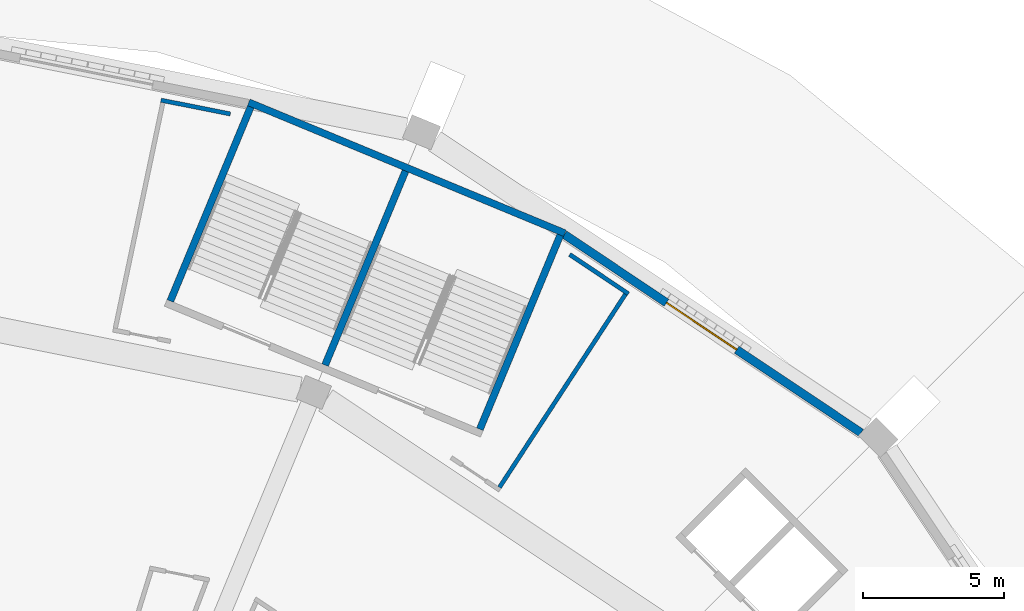
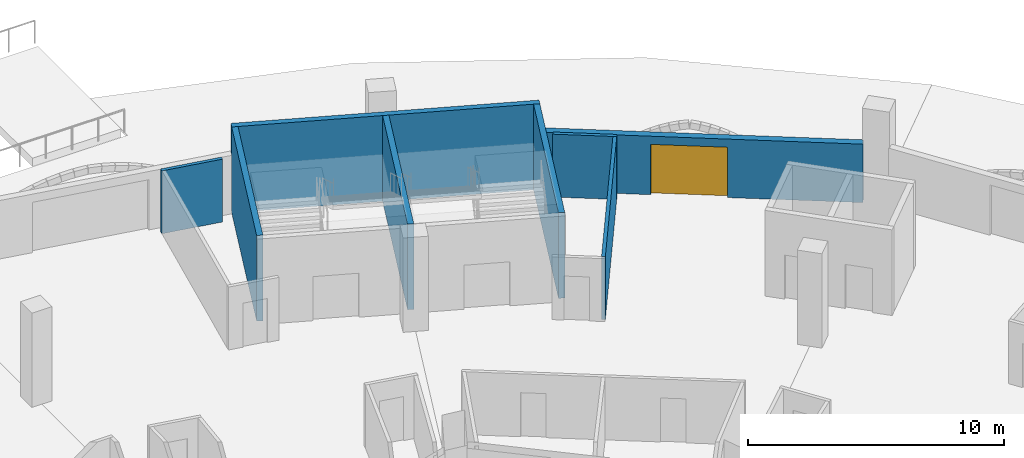
# One storey, part 44 of 175: 8 walls, 1 door, 1 opening.
"""IFC4 building model written with IfcOpenShell, lengths in metres."""

from ifc_helpers import new_model, si_unit, direction, frame, frame_2d, origin, place, context, subcontext, project, spatial, rectangle, extrude, material, layer, layer_set, type_object, element, fill, save


model = new_model("IFC4")

# Units and contexts
model_context = context("Model", 3, precision=1e-05, world=origin(), true_north=direction((0.0, 1.0)))
body_context = subcontext(model_context, "Body", "Model", "MODEL_VIEW")
ifc_project = project(units=[si_unit("LENGTHUNIT", "METRE"), si_unit("AREAUNIT", "SQUARE_METRE"), si_unit("VOLUMEUNIT", "CUBIC_METRE"), si_unit("PLANEANGLEUNIT", "RADIAN"), si_unit("MASSUNIT", "GRAM", prefix="KILO")], contexts=[model_context])

# Site, building, storey
site_placement = place(None, origin())
site = spatial("IfcSite", under=ifc_project, at=site_placement, CompositionType="ELEMENT")
building_placement = place(site_placement, origin())
building = spatial("IfcBuilding", under=site, at=building_placement, Name="Ogive Plaza Stadium", CompositionType="ELEMENT")
storey_placement = place(building_placement, origin())
storey = spatial("IfcBuildingStorey", under=building, at=storey_placement, Name="L00", CompositionType="ELEMENT", Elevation=0.0)

# Walls
ifc_material_1 = material(Name="Masonry blockwork", Category="masonry")
ifc_layer_1 = layer(ifc_material_1, 0.14990234375)
ifc_layer_set_1 = layer_set([ifc_layer_1], Name="Blockwork wall 150")
wall_type_1 = type_object("IfcWallType", Name="Blockwork wall 150", PredefinedType="SOLIDWALL", material=ifc_layer_set_1)
wall_1_placement = place(storey_placement, frame((46.345947265625, 99.34423828125, 0.0), z_axis=(0.0, 0.0, 1.0), x_axis=(-0.980778163577, 0.195126097309, 0.0)))
element("IfcWall", 1, at=wall_1_placement, inside=storey, type_object=wall_type_1, Name="Wall L00 B37", PredefinedType="SOLIDWALL", context=body_context, shape_type="SweptSolid", body=[
    extrude(rectangle(XDim=2.513671875, YDim=0.14990234375, at=frame_2d((1.2568359375, 0.0))), origin(), (0.0, 0.0, 1.0), 3.0),
])
wall_2_placement = place(storey_placement, frame((58.39404296875, 94.353759765625, 0.0), z_axis=(0.0, 0.0, 1.0), x_axis=(0.83145207432, -0.555596479569, 0.0)))
element("IfcWall", 2, at=wall_2_placement, inside=storey, type_object=wall_type_1, Name="Wall L00 B38", PredefinedType="SOLIDWALL", context=body_context, shape_type="SweptSolid", body=[
    extrude(rectangle(XDim=2.513427734375, YDim=0.14990234375, at=frame_2d((1.2568359375, 0.0))), origin(), (0.0, 0.0, 1.0), 3.0),
])
wall_3_placement = place(storey_placement, frame((55.901611328125, 86.081298828125, 0.0), z_axis=(0.0, 0.0, 1.0), x_axis=(0.546272327191, 0.837607631618, 0.0)))
element("IfcWall", 3, at=wall_3_placement, inside=storey, type_object=wall_type_1, Name="Wall L00 B38", PredefinedType="SOLIDWALL", context=body_context, shape_type="SweptSolid", body=[
    extrude(rectangle(XDim=8.18994140625, YDim=0.14990234375, at=frame_2d((4.094970703125, 0.0))), origin(), (0.0, 0.0, 1.0), 3.0),
])
ifc_material_2 = material(Name="Concrete C40/50", Category="concrete")
ifc_layer_2 = layer(ifc_material_2, 0.25)
ifc_layer_set_2 = layer_set([ifc_layer_2], Name="Concrete C40/50")
wall_type_2 = type_object("IfcWallType", Name="Core wall 250", PredefinedType="SHEAR", material=ifc_layer_set_2)
wall_4_placement = place(storey_placement, frame((58.224365234375, 95.108154296875, 0.0), z_axis=(0.0, 0.0, 1.0), x_axis=(-0.923884584817, 0.382671234792, 0.0)))
element("IfcWall", 4, at=wall_4_placement, inside=storey, type_object=wall_type_2, Name="Stair core R38 outer wall", PredefinedType="SHEAR", context=body_context, shape_type="SweptSolid", body=[
    extrude(rectangle(XDim=12.14990234375, YDim=0.25, at=frame_2d((6.074951171875, 0.0))), origin(), (0.0, 0.0, 1.0), 4.090087890625),
])
for number, where, z_axis, x_axis, name in (
    (5, (55.206298828125, 88.148193359375, 0.0), (0.0, 0.0, 1.0), (0.382664910245, 0.923887204407, 0.0), "Stair core R38 side wall"),
    (6, (44.212158203125, 92.7021484375, 0.0), (0.0, 0.0, 1.0), (0.382664910245, 0.923887204407, 0.0), "Stair core R38 side wall"),
):
    element("IfcWall", number, at=place(storey_placement, frame(where, z_axis=z_axis, x_axis=x_axis)), inside=storey, type_object=wall_type_2, Name=name, PredefinedType="SHEAR", context=body_context, shape_type="SweptSolid", body=[
        extrude(rectangle(XDim=7.460205078125, YDim=0.25, at=frame_2d((3.72998046875, 0.0))), origin(), (0.0, 0.0, 1.0), 4.090087890625),
    ])
wall_5_placement = place(storey_placement, frame((49.709228515625, 90.42529296875, 0.0), z_axis=(0.0, 0.0, 1.0), x_axis=(0.382676480483, 0.923882412044, 0.0)))
element("IfcWall", 7, at=wall_5_placement, inside=storey, type_object=wall_type_2, Name="Stair core R38 centre wall", PredefinedType="SHEAR", context=body_context, shape_type="SweptSolid", body=[
    extrude(rectangle(XDim=7.4599609375, YDim=0.25, at=frame_2d((3.72998046875, 0.0))), origin(), (0.0, 0.0, 1.0), 4.090087890625),
])

# Wall, opening, door
ifc_material_3 = material(Name="Concrete C45/55 precast", Category="concrete")
ifc_layer_3 = layer(ifc_material_3, 0.25)
ifc_material_4 = material(Name="Cast stone (reconstituted limestone)", Category="masonry")
ifc_layer_4 = layer(ifc_material_4, 0.050048828125)
ifc_layer_set_3 = layer_set([ifc_layer_3, ifc_layer_4], Name="Concrete C45/55 precast, cast stone facing")
wall_type_3 = type_object("IfcWallType", Name="Portal infill wall 300 A", PredefinedType="SOLIDWALL", material=ifc_layer_set_3)
wall_6_placement = place(storey_placement, frame((58.206298828125, 95.064453125, 0.0), z_axis=(0.0, 0.0, 1.0), x_axis=(0.831466044974, -0.555575571867, 0.0)))
wall_6 = element("IfcWall", 8, at=wall_6_placement, inside=storey, type_object=wall_type_3, Name="PORTAL WALL B38", PredefinedType="SOLIDWALL", context=body_context, shape_type="SweptSolid", body=[
    extrude(rectangle(XDim=12.6748046875, YDim=0.300048828125, at=frame_2d((6.33740234375, 0.0))), origin(), (0.0, 0.0, 1.0), 2.7900390625),
])
opening_placement = place(wall_6_placement, frame((4.363037109375, 0.0, 0.0)))
opening = element("IfcOpeningElement", 9, at=opening_placement, cuts=wall_6, Name="Opening D0038", PredefinedType="OPENING", context=body_context, shape_type="SweptSolid", body=[
    extrude(rectangle(XDim=3.0, YDim=2.39990234375, at=frame_2d((1.5, 1.199951171875))), frame((0.0, 0.16015625, 0.0), z_axis=(0.0, -1.0, 0.0), x_axis=(1.0, 0.0, 0.0)), (0.0, 0.0, 1.0), 0.320068359375),
])
ifc_material_5 = material(Name="Bronze-anodised aluminium and laminated glass", Category="aluminium")
door_type = type_object("IfcDoorType", Name="Exit gate door pair 3000 x 2400", OperationType="DOUBLE_DOOR_SINGLE_SWING", PredefinedType="DOOR", material=ifc_material_5)
door_placement = place(opening_placement, origin())
door = element("IfcDoor", 10, at=door_placement, inside=storey, type_object=door_type, Name="Pedestrian exit gate G18", OperationType="DOUBLE_DOOR_SINGLE_SWING", OverallHeight=2.39990234375, OverallWidth=3.0, PredefinedType="DOOR", context=body_context, shape_type="SweptSolid", body=[
    extrude(rectangle(XDim=3.0, YDim=2.39990234375, at=frame_2d((1.5, 1.199951171875))), frame((0.0, 0.02490234375, 0.0), z_axis=(0.0, -1.0, 0.0), x_axis=(1.0, 0.0, 0.0)), (0.0, 0.0, 1.0), 0.050048828125),
])
fill(opening, door)

save(model, "model.ifc")
